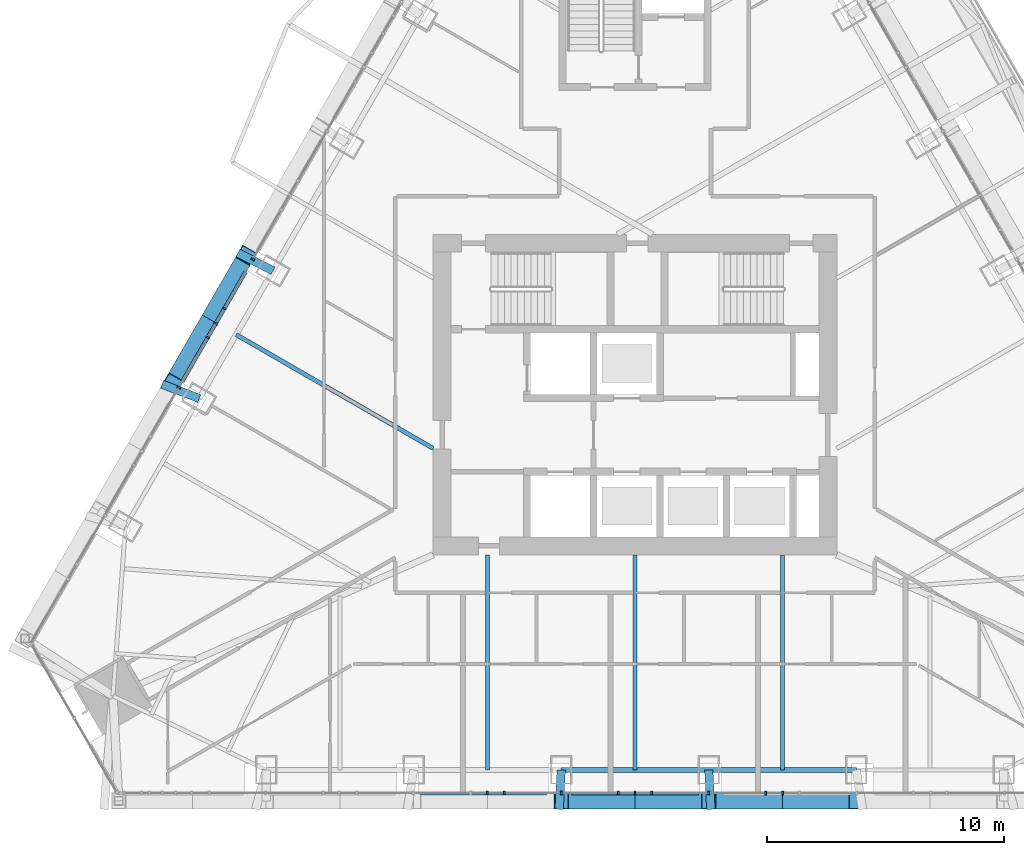
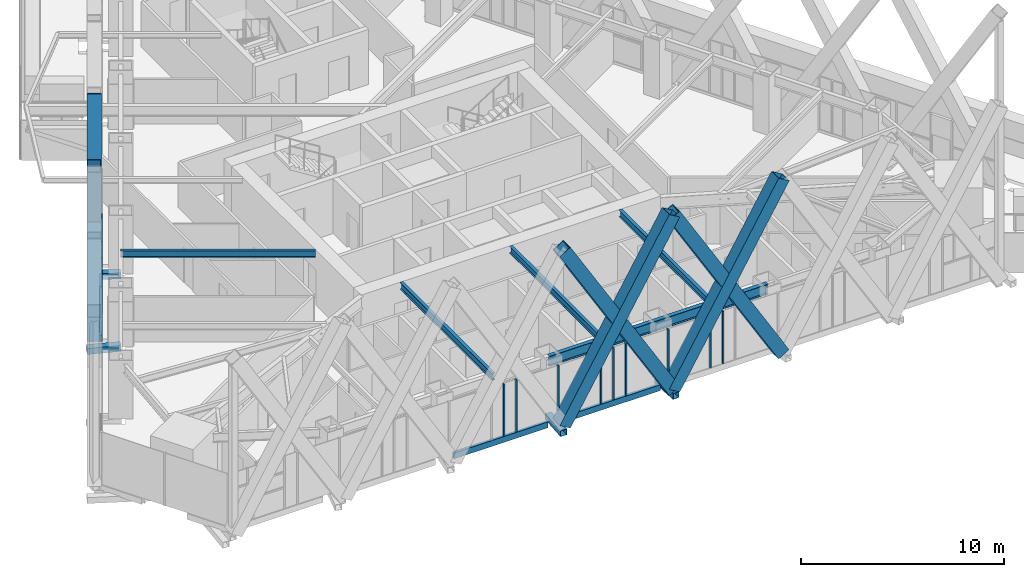
# One storey, part 3 of 23: 27 members, 5 beams, 2 elements without a shape of their own.
"""IFC4 building model written with IfcOpenShell, lengths in metres."""

from ifc_helpers import new_model, si_unit, direction, frame, origin, origin_2d, place, context, subcontext, project, spatial, rectangle, hollow_rectangle, i_section, extrude, material, layer, layer_set, material_profile, profile_set, type_object, element, aggregate, save


model = new_model("IFC4")

# Units and contexts
model_context = context("Model", 3, precision=1e-05, world=origin(), true_north=direction((0.0, 1.0)))
body_context = subcontext(model_context, "Body", "Model", "MODEL_VIEW")
ifc_project = project(units=[si_unit("LENGTHUNIT", "METRE"), si_unit("AREAUNIT", "SQUARE_METRE"), si_unit("VOLUMEUNIT", "CUBIC_METRE"), si_unit("PLANEANGLEUNIT", "RADIAN"), si_unit("MASSUNIT", "GRAM", prefix="KILO")], contexts=[model_context])

# Site, building, storey
site_placement = place(None, origin())
site = spatial("IfcSite", under=ifc_project, at=site_placement, CompositionType="ELEMENT")
building_placement = place(site_placement, origin())
building = spatial("IfcBuilding", under=site, at=building_placement, Name="Firuza Gate Tower and Library", CompositionType="ELEMENT")
storey_placement = place(building_placement, frame((0.0, 0.0, 291.60009765625)))
storey = spatial("IfcBuildingStorey", under=building, at=storey_placement, Name="L70", CompositionType="ELEMENT", Elevation=291.60009765625)

# Members
ifc_material_1 = material(Name="Steel S355", Category="steel")
ifc_material_profile_1 = material_profile(ifc_material_1, hollow_rectangle(XDim=0.699951171875, YDim=0.699951171875, WallThickness=0.030029296875, at=origin_2d()))
ifc_profile_set_1 = profile_set([ifc_material_profile_1], Name="Steel S355")
member_type_1 = type_object("IfcMemberType", Name="BU700x700x30 Lattice brace", PredefinedType="BRACE", material=ifc_profile_set_1)
for number, where, z_axis, x_axis, name in (
    (1, (71.893310546875, 57.8876953125, 0.0), (0.509265848717, 0.0, 0.860609258218), (0.0, 1.0, 0.0), "Lattice brace S 18.4R"),
    (2, (78.106689453125, 57.8876953125, 0.0), (-0.509265848717, 0.0, 0.860609258218), (0.0, -1.0, 0.0), "Lattice brace S 18.4L"),
    (3, (78.106689453125, 57.8876953125, 0.0), (0.509265848717, 0.0, 0.860609258218), (0.0, 1.0, 0.0), "Lattice brace S 18.5R"),
    (4, (84.320068359375, 57.8876953125, 0.0), (-0.509265848717, 0.0, 0.860609258218), (0.0, -1.0, 0.0), "Lattice brace S 18.5L"),
    (5, (58.626953125, 80.86572265625, 0.0), (-0.254633703079, -0.441031576884, 0.860611890138), (0.866021999733, -0.500005895944, 0.0), "Lattice brace W 18.5R"),
    (6, (55.520263671875, 75.48486328125, 0.0), (0.254633703079, 0.441031576884, 0.860611890138), (-0.866021999733, 0.500005895944, 0.0), "Lattice brace W 18.5L"),
):
    element("IfcMember", number, at=place(storey_placement, frame(where, z_axis=z_axis, x_axis=x_axis)), inside=storey, type_object=member_type_1, Name=name, PredefinedType="BRACE", context=body_context, shape_type="SweptSolid", body=[
        extrude(hollow_rectangle(XDim=0.699951171875, YDim=0.699951171875, WallThickness=0.030029296875, at=origin_2d()), origin(), (0.0, 0.0, 1.0), 12.20068359375),
    ])

# Curtain wall, members
ifc_material_2 = material(Name="Aluminium 6063-T6", Category="aluminium")
ifc_layer = layer(ifc_material_2, 0.14990234375)
ifc_layer_set = layer_set([ifc_layer], Name="Unitised curtain wall, residences")
curtain_wall_type = type_object("IfcCurtainWallType", Name="Unitised curtain wall, residences", PredefinedType="NOTDEFINED", material=ifc_layer_set)
placement = place(storey_placement, origin())
curtain_wall_1 = element("IfcCurtainWall", 7, at=placement, inside=storey, type_object=curtain_wall_type, Name="CW3 L70 S face", PredefinedType="NOTDEFINED")
ifc_material_3 = material(Name="Aluminium 6063-T6", Category="aluminium")
ifc_material_profile_2 = material_profile(ifc_material_3, rectangle(XDim=0.14990234375, YDim=0.080078125, at=origin_2d()))
ifc_profile_set_2 = profile_set([ifc_material_profile_2], Name="Aluminium 6063-T6")
member_type_2 = type_object("IfcMemberType", Name="Curtain wall mullion 80x150", PredefinedType="MULLION", material=ifc_profile_set_2)
member_1_placement = place(storey_placement, frame((68.7744140625, 58.212646484375, 0.14990234375), z_axis=(0.0, 0.0, 1.0), x_axis=(0.0, 1.0, 0.0)))
member_1 = element("IfcMember", 8, at=member_1_placement, type_object=member_type_2, Name="Mullion", PredefinedType="MULLION", context=body_context, shape_type="SweptSolid", body=[
    extrude(rectangle(XDim=0.14990234375, YDim=0.080078125, at=origin_2d()), origin(), (0.0, 0.0, 1.0), 3.14990234375),
])
member_2_placement = place(storey_placement, frame((71.88720703125, 58.212646484375, 0.14990234375), z_axis=(0.0, 0.0, 1.0), x_axis=(0.0, 1.0, 0.0)))
member_2 = element("IfcMember", 9, at=member_2_placement, type_object=member_type_2, Name="Mullion", PredefinedType="MULLION", context=body_context, shape_type="SweptSolid", body=[
    extrude(rectangle(XDim=0.14990234375, YDim=0.080078125, at=origin_2d()), origin(), (0.0, 0.0, 1.0), 3.14990234375),
])
member_3_placement = place(storey_placement, frame((75.0, 58.212646484375, 0.14990234375), z_axis=(0.0, 0.0, 1.0), x_axis=(0.0, 1.0, 0.0)))
member_3 = element("IfcMember", 10, at=member_3_placement, type_object=member_type_2, Name="Mullion", PredefinedType="MULLION", context=body_context, shape_type="SweptSolid", body=[
    extrude(rectangle(XDim=0.14990234375, YDim=0.080078125, at=origin_2d()), origin(), (0.0, 0.0, 1.0), 3.14990234375),
])
member_4_placement = place(storey_placement, frame((78.11279296875, 58.212646484375, 0.14990234375), z_axis=(0.0, 0.0, 1.0), x_axis=(0.0, 1.0, 0.0)))
member_4 = element("IfcMember", 11, at=member_4_placement, type_object=member_type_2, Name="Mullion", PredefinedType="MULLION", context=body_context, shape_type="SweptSolid", body=[
    extrude(rectangle(XDim=0.14990234375, YDim=0.080078125, at=origin_2d()), origin(), (0.0, 0.0, 1.0), 3.14990234375),
])
member_5_placement = place(storey_placement, frame((81.2255859375, 58.212646484375, 0.14990234375), z_axis=(0.0, 0.0, 1.0), x_axis=(0.0, 1.0, 0.0)))
member_5 = element("IfcMember", 12, at=member_5_placement, type_object=member_type_2, Name="Mullion", PredefinedType="MULLION", context=body_context, shape_type="SweptSolid", body=[
    extrude(rectangle(XDim=0.14990234375, YDim=0.080078125, at=origin_2d()), origin(), (0.0, 0.0, 1.0), 3.14990234375),
])
member_6_placement = place(storey_placement, frame((69.48876953125, 58.212646484375, 0.14990234375), z_axis=(0.0, 0.0, 1.0), x_axis=(0.0, 1.0, 0.0)))
member_6 = element("IfcMember", 13, at=member_6_placement, type_object=member_type_2, Name="Mullion", PredefinedType="MULLION", context=body_context, shape_type="SweptSolid", body=[
    extrude(rectangle(XDim=0.14990234375, YDim=0.080078125, at=origin_2d()), origin(), (0.0, 0.0, 1.0), 3.14990234375),
])
member_7_placement = place(storey_placement, frame((74.2978515625, 58.212646484375, 0.14990234375), z_axis=(0.0, 0.0, 1.0), x_axis=(0.0, 1.0, 0.0)))
member_7 = element("IfcMember", 14, at=member_7_placement, type_object=member_type_2, Name="Mullion", PredefinedType="MULLION", context=body_context, shape_type="SweptSolid", body=[
    extrude(rectangle(XDim=0.14990234375, YDim=0.080078125, at=origin_2d()), origin(), (0.0, 0.0, 1.0), 3.14990234375),
])
member_8_placement = place(storey_placement, frame((75.7021484375, 58.212646484375, 0.14990234375), z_axis=(0.0, 0.0, 1.0), x_axis=(0.0, 1.0, 0.0)))
member_8 = element("IfcMember", 15, at=member_8_placement, type_object=member_type_2, Name="Mullion", PredefinedType="MULLION", context=body_context, shape_type="SweptSolid", body=[
    extrude(rectangle(XDim=0.14990234375, YDim=0.080078125, at=origin_2d()), origin(), (0.0, 0.0, 1.0), 3.14990234375),
])
member_9_placement = place(storey_placement, frame((80.51123046875, 58.212646484375, 0.14990234375), z_axis=(0.0, 0.0, 1.0), x_axis=(0.0, 1.0, 0.0)))
member_9 = element("IfcMember", 16, at=member_9_placement, type_object=member_type_2, Name="Mullion", PredefinedType="MULLION", context=body_context, shape_type="SweptSolid", body=[
    extrude(rectangle(XDim=0.14990234375, YDim=0.080078125, at=origin_2d()), origin(), (0.0, 0.0, 1.0), 3.14990234375),
])

curtain_wall_2 = element("IfcCurtainWall", 17, at=placement, inside=storey, type_object=curtain_wall_type, Name="CW3 L70 W face", PredefinedType="NOTDEFINED")
member_10_placement = place(storey_placement, frame((58.9052734375, 80.69775390625, 0.14990234375), z_axis=(0.0, 0.0, 1.0), x_axis=(0.866025403784, -0.5, 0.0)))
member_10 = element("IfcMember", 18, at=member_10_placement, type_object=member_type_2, Name="Mullion", PredefinedType="MULLION", context=body_context, shape_type="SweptSolid", body=[
    extrude(rectangle(XDim=0.14990234375, YDim=0.080078125, at=origin_2d()), origin(), (0.0, 0.0, 1.0), 3.14990234375),
])
member_11_placement = place(storey_placement, frame((57.348876953125, 78.001953125, 0.14990234375), z_axis=(0.0, 0.0, 1.0), x_axis=(0.866025403784, -0.5, 0.0)))
member_11 = element("IfcMember", 19, at=member_11_placement, type_object=member_type_2, Name="Mullion", PredefinedType="MULLION", context=body_context, shape_type="SweptSolid", body=[
    extrude(rectangle(XDim=0.14990234375, YDim=0.080078125, at=origin_2d()), origin(), (0.0, 0.0, 1.0), 3.14990234375),
])
member_12_placement = place(storey_placement, frame((55.79248046875, 75.30615234375, 0.14990234375), z_axis=(0.0, 0.0, 1.0), x_axis=(0.866025403784, -0.5, 0.0)))
member_12 = element("IfcMember", 20, at=member_12_placement, type_object=member_type_2, Name="Mullion", PredefinedType="MULLION", context=body_context, shape_type="SweptSolid", body=[
    extrude(rectangle(XDim=0.14990234375, YDim=0.080078125, at=origin_2d()), origin(), (0.0, 0.0, 1.0), 3.14990234375),
])
member_13_placement = place(storey_placement, frame((57.7060546875, 78.620849609375, 0.14990234375), z_axis=(0.0, 0.0, 1.0), x_axis=(0.866025403784, -0.5, 0.0)))
member_13 = element("IfcMember", 21, at=member_13_placement, type_object=member_type_2, Name="Mullion", PredefinedType="MULLION", context=body_context, shape_type="SweptSolid", body=[
    extrude(rectangle(XDim=0.14990234375, YDim=0.080078125, at=origin_2d()), origin(), (0.0, 0.0, 1.0), 3.14990234375),
])
member_14_placement = place(storey_placement, frame((57.00390625, 77.404541015625, 0.14990234375), z_axis=(0.0, 0.0, 1.0), x_axis=(0.866025403784, -0.5, 0.0)))
member_14 = element("IfcMember", 22, at=member_14_placement, type_object=member_type_2, Name="Mullion", PredefinedType="MULLION", context=body_context, shape_type="SweptSolid", body=[
    extrude(rectangle(XDim=0.14990234375, YDim=0.080078125, at=origin_2d()), origin(), (0.0, 0.0, 1.0), 3.14990234375),
])

# Member
ifc_material_4 = material(Name="Aluminium 6063-T6", Category="aluminium")
ifc_material_profile_3 = material_profile(ifc_material_4, rectangle(XDim=0.14990234375, YDim=0.35009765625, at=origin_2d()))
ifc_profile_set_3 = profile_set([ifc_material_profile_3], Name="Aluminium 6063-T6")
member_type_3 = type_object("IfcMemberType", Name="Curtain wall transom 350x150", PredefinedType="USERDEFINED", material=ifc_profile_set_3)
member_15_placement = place(storey_placement, frame((65.943603515625, 58.212646484375, -0.025146484375), z_axis=(1.0, 0.0, 0.0), x_axis=(0.0, 1.0, 0.0)))
member_15 = element("IfcMember", 23, at=member_15_placement, type_object=member_type_3, Name="Transom", ObjectType="TRANSOM", PredefinedType="USERDEFINED", context=body_context, shape_type="SweptSolid", body=[
    extrude(rectangle(XDim=0.14990234375, YDim=0.35009765625, at=origin_2d()), origin(), (0.0, 0.0, 1.0), 5.334228515625),
])

member_16_placement = place(storey_placement, frame((72.332763671875, 58.212646484375, -0.025146484375), z_axis=(1.0, 0.0, 0.0), x_axis=(0.0, 1.0, 0.0)))
member_16 = element("IfcMember", 24, at=member_16_placement, type_object=member_type_3, Name="Transom", ObjectType="TRANSOM", PredefinedType="USERDEFINED", context=body_context, shape_type="SweptSolid", body=[
    extrude(rectangle(XDim=0.14990234375, YDim=0.35009765625, at=origin_2d()), origin(), (0.0, 0.0, 1.0), 5.33447265625),
])

aggregate(curtain_wall_1, [member_1, member_2, member_3, member_4, member_5, member_15, member_16, member_6, member_7, member_8, member_9])

member_17_placement = place(storey_placement, frame((58.6005859375, 80.170166015625, -0.025146484375), z_axis=(-0.499978655776, -0.866037726527, 0.0), x_axis=(0.866037726527, -0.499978655776, 0.0)))
member_17 = element("IfcMember", 25, at=member_17_placement, type_object=member_type_3, Name="Transom", ObjectType="TRANSOM", PredefinedType="USERDEFINED", context=body_context, shape_type="SweptSolid", body=[
    extrude(rectangle(XDim=0.14990234375, YDim=0.35009765625, at=origin_2d()), origin(), (0.0, 0.0, 1.0), 5.334228515625),
])

aggregate(curtain_wall_2, [member_10, member_11, member_12, member_17, member_13, member_14])

# Members
ifc_material_5 = material(Name="Steel S355", Category="steel")
ifc_material_profile_4 = material_profile(ifc_material_5, hollow_rectangle(XDim=0.355712890625, YDim=0.355712890625, WallThickness=0.014892578125, at=origin_2d()))
ifc_profile_set_4 = profile_set([ifc_material_profile_4], Name="Steel S355")
member_type_4 = type_object("IfcMemberType", Name="HSS356x356x16 Lattice node tie", PredefinedType="BRACE", material=ifc_profile_set_4)
for number, where, z_axis, x_axis, name in (
    (26, (71.893310546875, 59.187744140625, -0.320068359375), (-0.053007061265, -0.998594137503, 0.0), (0.998594137503, -0.053007061265, 0.0), "Lattice node tie S L70 480"),
    (27, (78.106689453125, 59.187744140625, -0.320068359375), (0.053007061265, -0.998594137503, 0.0), (0.998594137503, 0.053007061265, 0.0), "Lattice node tie S L70 481"),
):
    element("IfcMember", number, at=place(storey_placement, frame(where, z_axis=z_axis, x_axis=x_axis)), inside=storey, type_object=member_type_4, Name=name, PredefinedType="BRACE", context=body_context, shape_type="SweptSolid", body=[
        extrude(hollow_rectangle(XDim=0.355712890625, YDim=0.355712890625, WallThickness=0.014892578125, at=origin_2d()), origin(), (0.0, 0.0, 1.0), 1.658203125),
    ])
member_18_placement = place(storey_placement, frame((56.64599609375, 74.834716796875, -0.320068359375), z_axis=(-0.933907450253, 0.357514858938, 0.0), x_axis=(-0.357514858938, -0.933907450253, 0.0)))
element("IfcMember", 28, at=member_18_placement, inside=storey, type_object=member_type_4, Name="Lattice node tie W L70 491", PredefinedType="BRACE", context=body_context, shape_type="SweptSolid", body=[
    extrude(hollow_rectangle(XDim=0.355712890625, YDim=0.355712890625, WallThickness=0.014892578125, at=origin_2d()), origin(), (0.0, 0.0, 1.0), 1.676513671875),
])
member_19_placement = place(storey_placement, frame((59.752685546875, 80.2158203125, -0.320068359375), z_axis=(-0.891373028978, 0.453270474673, 0.0), x_axis=(-0.453270474673, -0.891373028978, 0.0)))
element("IfcMember", 29, at=member_19_placement, inside=storey, type_object=member_type_4, Name="Lattice node tie W L70 492", PredefinedType="BRACE", context=body_context, shape_type="SweptSolid", body=[
    extrude(hollow_rectangle(XDim=0.355712890625, YDim=0.355712890625, WallThickness=0.014892578125, at=origin_2d()), origin(), (0.0, 0.0, 1.0), 1.657958984375),
])

# Beams
ifc_material_6 = material(Name="Steel S355", Category="steel")
ifc_material_profile_5 = material_profile(ifc_material_6, i_section(OverallWidth=0.177978515625, OverallDepth=0.406982421875, WebThickness=0.0078125, FlangeThickness=0.0126953125, at=origin_2d()))
ifc_profile_set_5 = profile_set([ifc_material_profile_5], Name="Steel S355")
beam_type_1 = type_object("IfcBeamType", Name="W410x60 Floor beam", PredefinedType="JOIST", material=ifc_profile_set_5)
for number, where, z_axis, x_axis, name in (
    (30, (68.78662109375, 59.187744140625, 3.096435546875), (0.0, 1.0, 0.0), (-1.0, 0.0, 0.0), "Floor beam L70 s21"),
    (31, (75.0, 59.187744140625, 3.096435546875), (0.0, 1.0, 0.0), (-1.0, 0.0, 0.0), "Floor beam L70 s22"),
    (32, (81.21337890625, 59.187744140625, 3.096435546875), (0.0, 1.0, 0.0), (-1.0, 0.0, 0.0), "Floor beam L70 s23"),
):
    element("IfcBeam", number, at=place(storey_placement, frame(where, z_axis=z_axis, x_axis=x_axis)), inside=storey, type_object=beam_type_1, Name=name, PredefinedType="JOIST", context=body_context, shape_type="SweptSolid", body=[
        extrude(i_section(OverallWidth=0.177978515625, OverallDepth=0.406982421875, WebThickness=0.0078125, FlangeThickness=0.0126953125, at=origin_2d()), origin(), (0.0, 0.0, 1.0), 9.062255859375),
    ])
beam_1_placement = place(storey_placement, frame((58.199462890625, 77.525390625, 3.096435546875), z_axis=(0.866018033707, -0.500012765131, 0.0), x_axis=(0.500012765131, 0.866018033707, 0.0)))
element("IfcBeam", 33, at=beam_1_placement, inside=storey, type_object=beam_type_1, Name="Floor beam L70 s83", PredefinedType="JOIST", context=body_context, shape_type="SweptSolid", body=[
    extrude(i_section(OverallWidth=0.177978515625, OverallDepth=0.406982421875, WebThickness=0.0078125, FlangeThickness=0.0126953125, at=origin_2d()), origin(), (0.0, 0.0, 1.0), 9.584716796875),
])
ifc_material_7 = material(Name="Steel S355", Category="steel")
ifc_material_profile_6 = material_profile(ifc_material_7, i_section(OverallWidth=0.22900390625, OverallDepth=0.612060546875, WebThickness=0.011962890625, FlangeThickness=0.01953125, at=origin_2d()))
ifc_profile_set_6 = profile_set([ifc_material_profile_6], Name="Steel S355")
beam_type_2 = type_object("IfcBeamType", Name="W610x125 Edge beam", PredefinedType="SPANDREL", material=ifc_profile_set_6)
beam_2_placement = place(storey_placement, frame((71.893310546875, 59.187744140625, 2.993896484375), z_axis=(1.0, 0.0, 0.0), x_axis=(0.0, 1.0, 0.0)))
element("IfcBeam", 34, at=beam_2_placement, inside=storey, type_object=beam_type_2, Name="Edge beam L70 e22", PredefinedType="SPANDREL", context=body_context, shape_type="SweptSolid", body=[
    extrude(i_section(OverallWidth=0.22900390625, OverallDepth=0.612060546875, WebThickness=0.011962890625, FlangeThickness=0.01953125, at=origin_2d()), origin(), (0.0, 0.0, 1.0), 12.4267578125),
])

save(model, "model.ifc")
